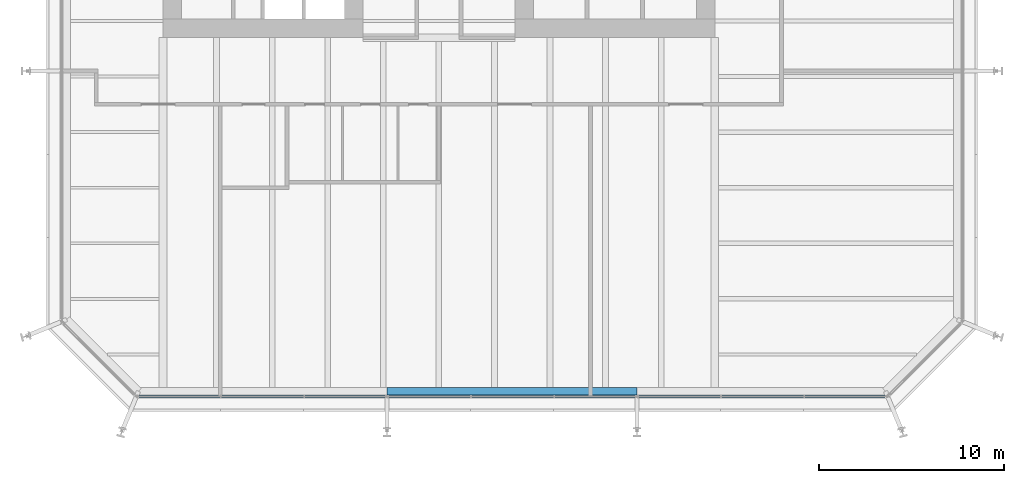
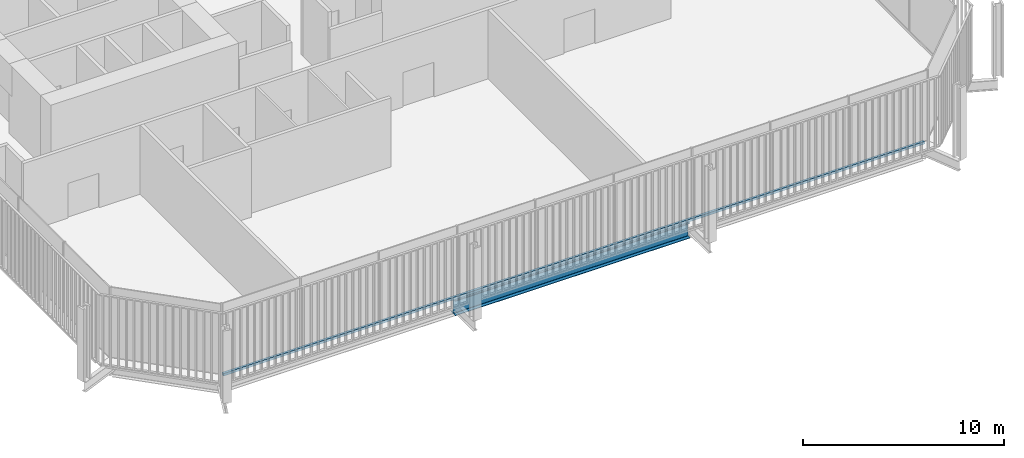
# One storey, part 3 of 20: 1 beam, 1 member, 1 element without a shape of its own.
"""IFC4 building model written with IfcOpenShell, lengths in metres."""

from ifc_helpers import new_model, si_unit, direction, frame, origin, origin_2d, place, context, subcontext, project, spatial, rectangle, i_section, extrude, material, layer, layer_set, material_profile, profile_set, type_object, element, aggregate, save


model = new_model("IFC4")

# Units and contexts
model_context = context("Model", 3, precision=1e-05, world=origin(), true_north=direction((0.0, 1.0)))
body_context = subcontext(model_context, "Body", "Model", "MODEL_VIEW")
ifc_project = project(units=[si_unit("LENGTHUNIT", "METRE"), si_unit("AREAUNIT", "SQUARE_METRE"), si_unit("VOLUMEUNIT", "CUBIC_METRE"), si_unit("PLANEANGLEUNIT", "RADIAN"), si_unit("MASSUNIT", "GRAM", prefix="KILO")], contexts=[model_context])

# Site, building, storey
site_placement = place(None, origin())
site = spatial("IfcSite", under=ifc_project, at=site_placement, CompositionType="ELEMENT")
building_placement = place(site_placement, origin())
building = spatial("IfcBuilding", under=site, at=building_placement, Name="Millrace Tower", CompositionType="ELEMENT")
storey_placement = place(building_placement, frame((0.0, 0.0, 86.39990234375)))
storey = spatial("IfcBuildingStorey", under=building, at=storey_placement, Name="L19", CompositionType="ELEMENT", Elevation=86.39990234375)

# Curtain wall, member
ifc_material_1 = material(Name="Aluminium and glass", Category="aluminium")
ifc_layer = layer(ifc_material_1, 0.14990234375)
ifc_layer_set = layer_set([ifc_layer], Name="Aluminium and glass")
curtain_wall_type = type_object("IfcCurtainWallType", Name="CW-3 telecom floor curtain wall", PredefinedType="NOTDEFINED", material=ifc_layer_set)
curtain_wall_placement = place(storey_placement, origin())
curtain_wall = element("IfcCurtainWall", 1, at=curtain_wall_placement, inside=storey, type_object=curtain_wall_type, Name="Curtain wall B-F02 L19", PredefinedType="NOTDEFINED")
ifc_material_2 = material(Name="Aluminium", Category="aluminium")
ifc_material_profile_1 = material_profile(ifc_material_2, rectangle(XDim=0.14990234375, YDim=0.14990234375, at=origin_2d()))
ifc_profile_set_1 = profile_set([ifc_material_profile_1], Name="Aluminium")
member_type = type_object("IfcMemberType", Name="CW-3 telecom floor curtain wall transom", PredefinedType="USERDEFINED", material=ifc_profile_set_1)
member_placement = place(storey_placement, frame((-16.199951171875, -29.27490234375, 0.0751953125), z_axis=(1.0, 0.0, 0.0), x_axis=(0.0, 1.0, 0.0)))
member = element("IfcMember", 2, at=member_placement, type_object=member_type, Name="CW3 transom B-F02.1", ObjectType="TRANSOM", PredefinedType="USERDEFINED", context=body_context, shape_type="SweptSolid", body=[
    extrude(rectangle(XDim=0.14990234375, YDim=0.14990234375, at=origin_2d()), origin(), (0.0, 0.0, 1.0), 40.300048828125),
])
aggregate(curtain_wall, [member])

# Beam
ifc_material_3 = material(Name="Steel ASTM A992 Grade 50", Category="steel")
ifc_material_profile_2 = material_profile(ifc_material_3, i_section(OverallWidth=0.419189453125, OverallDepth=0.927001953125, WebThickness=0.019287109375, FlangeThickness=0.031982421875, FilletRadius=0.024169921875, at=origin_2d()))
ifc_profile_set_2 = profile_set([ifc_material_profile_2], Name="Steel ASTM A992 Grade 50")
beam_type = type_object("IfcBeamType", Name="Ring beam medium span W36x231", PredefinedType="SPANDREL", material=ifc_profile_set_2)
beam_placement = place(storey_placement, frame((10.699951171875, -28.990478515625, -0.66357421875), z_axis=(-1.0, 0.0, 0.0), x_axis=(0.0, -1.0, 0.0)))
element("IfcBeam", 3, at=beam_placement, inside=storey, type_object=beam_type, Name="RNG-B-L19-S1-14", PredefinedType="SPANDREL", context=body_context, shape_type="SweptSolid", body=[
    extrude(i_section(OverallWidth=0.419189453125, OverallDepth=0.927001953125, WebThickness=0.019287109375, FlangeThickness=0.031982421875, FilletRadius=0.024169921875, at=origin_2d()), origin(), (0.0, 0.0, 1.0), 13.5),
])

save(model, "model.ifc")
